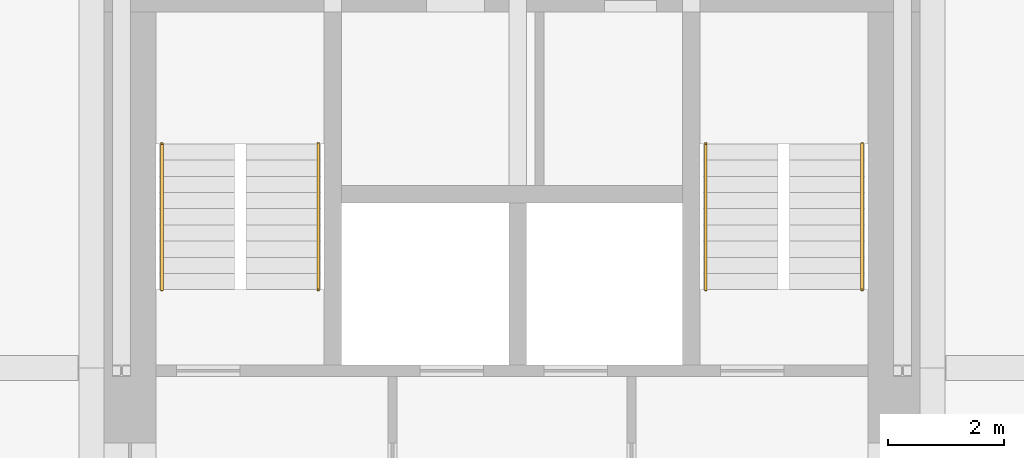
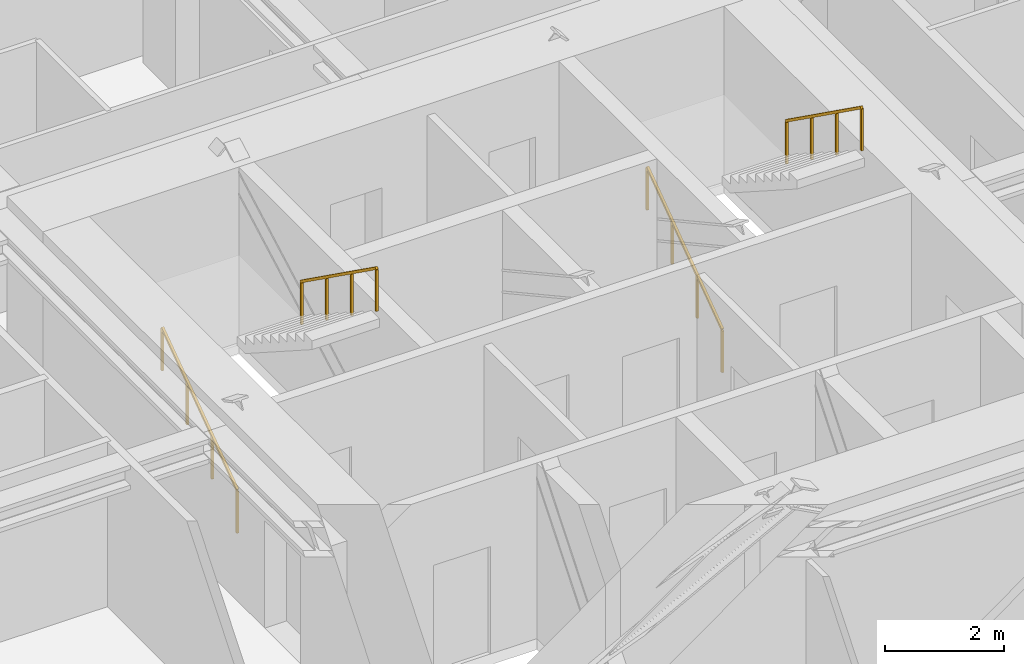
# One storey, part 7 of 7: 4 railings.
"""IFC4 building model written with IfcOpenShell, lengths in metres."""

import ifcopenshell
import ifcopenshell.guid

model = None  # the IFC model being written
_history = None  # IfcOwnerHistory: only IFC2X3 demands one
_inside = {}  # id of a spatial element -> (the spatial element, [elements in it])
_under = {}  # id of a project, library or spatial element -> (it, [spatial elements below it])
_declared = {}  # id of a project -> (the project, [libraries it declares])
_typed = {}  # id of a type object -> (the type object, [elements of that type])
_made_of = {}  # id of a material, layer set ... -> (it, [elements and type objects made of it])


def new_model(schema):
    """Start an empty IFC model of exactly this schema.

    Asked for "IFC4X3", IfcOpenShell would pick the latest addendum, in which some entities
    have other attributes; the version numbers below select the first issue.
    IFC2X3 requires an IfcOwnerHistory on every rooted entity: one is made here for all.
    """
    global model, _history
    if schema == "IFC4X3":
        model = ifcopenshell.file(schema_version=(4, 3, 0, 0))
    else:
        model = ifcopenshell.file(schema=schema)
    _inside.clear()
    _under.clear()
    _declared.clear()
    _typed.clear()
    _made_of.clear()
    _history = None
    if model.schema == "IFC2X3":
        org = make("IfcOrganization", Name="unknown")
        user = make(
            "IfcPersonAndOrganization",
            ThePerson=make("IfcPerson", FamilyName="unknown"),
            TheOrganization=org,
        )
        app = make(
            "IfcApplication",
            ApplicationDeveloper=org,
            Version="unknown",
            ApplicationFullName="unknown",
            ApplicationIdentifier="unknown",
        )
        _history = make(
            "IfcOwnerHistory",
            OwningUser=user,
            OwningApplication=app,
            ChangeAction="ADDED",
            CreationDate=0,
        )
    return model


def make(cls, **values):
    """One entity of the class cls with the attributes given. An attribute that is None is left unset."""
    return model.create_entity(
        cls, **{name: value for name, value in values.items() if value is not None}
    )


def rooted(cls, **values):
    """An entity with a GlobalId (a new one), such as an element, a storey or a relation."""
    return make(cls, GlobalId=ifcopenshell.guid.new(), OwnerHistory=_history, **values)


def si_unit(unit_type, name, prefix=None):
    """IfcSIUnit, for example si_unit("LENGTHUNIT", "METRE", prefix="MILLI")."""
    return make("IfcSIUnit", UnitType=unit_type, Prefix=prefix, Name=name)


def assignment(units):
    """IfcUnitAssignment: the units of a project."""
    return None if units is None else make("IfcUnitAssignment", Units=units)


def point(xyz):
    """IfcCartesianPoint."""
    return None if xyz is None else make("IfcCartesianPoint", Coordinates=xyz)


def direction(xyz):
    """IfcDirection."""
    return None if xyz is None else make("IfcDirection", DirectionRatios=xyz)


def frame(location, z_axis=None, x_axis=None):
    """IfcAxis2Placement3D, a coordinate frame: its origin and axes. An axis left out is left unset."""
    return make(
        "IfcAxis2Placement3D",
        Location=point(location),
        Axis=direction(z_axis),
        RefDirection=direction(x_axis),
    )


def frame_2d(location, x_axis=None):
    """IfcAxis2Placement2D, a coordinate frame in the plane: its origin and x axis."""
    return make(
        "IfcAxis2Placement2D", Location=point(location), RefDirection=direction(x_axis)
    )


def origin():
    """The frame at (0, 0, 0) with its axes left unset."""
    return frame((0.0, 0.0, 0.0))


def origin_2d():
    """The frame at (0, 0) in the plane with its x axis left unset."""
    return frame_2d((0.0, 0.0))


def place(relative_to, where):
    """IfcLocalPlacement: puts the frame where relative to a parent placement (None: the world)."""
    return make(
        "IfcLocalPlacement", PlacementRelTo=relative_to, RelativePlacement=where
    )


def context(
    kind, dimensions, precision=None, world=None, true_north=None, identifier=None
):
    """IfcGeometricRepresentationContext, for example the 3D "Model" context."""
    return make(
        "IfcGeometricRepresentationContext",
        ContextIdentifier=identifier,
        ContextType=kind,
        CoordinateSpaceDimension=dimensions,
        Precision=precision,
        WorldCoordinateSystem=world,
        TrueNorth=true_north,
    )


def subcontext(parent, identifier, kind, view, scale=None):
    """IfcGeometricRepresentationSubContext, for example "Body" below "Model"."""
    return make(
        "IfcGeometricRepresentationSubContext",
        ContextIdentifier=identifier,
        ContextType=kind,
        ParentContext=parent,
        TargetScale=scale,
        TargetView=view,
    )


def project(units=None, contexts=None):
    """IfcProject with its units and contexts."""
    return rooted(
        "IfcProject",
        Name="project",
        RepresentationContexts=contexts,
        UnitsInContext=assignment(units),
    )


def spatial(cls, under=None, at=None, **own):
    """A site, building, storey or space (cls), placed at a placement, below another one or the project."""
    s = rooted(cls, ObjectPlacement=at, **own)
    if under is not None:
        _under.setdefault(under.id(), (under, []))[1].append(s)
    return s


def profile(cls, at=None, kind="AREA", **sizes):
    """A parametric profile (cls). Its sizes go by their IFC names, for example OverallWidth=200.0."""
    return make(cls, ProfileType=kind, Position=at, **sizes)


def rectangle(**sizes):
    """IfcRectangleProfileDef."""
    return profile("IfcRectangleProfileDef", **sizes)


def extrude(swept, where, along, depth):
    """IfcExtrudedAreaSolid: the profile swept, set in the frame where, extruded along a direction by depth."""
    return make(
        "IfcExtrudedAreaSolid",
        SweptArea=swept,
        Position=where,
        ExtrudedDirection=direction(along),
        Depth=depth,
    )


def shape(context_of_items, identifier, shape_type, items):
    """IfcShapeRepresentation: the items that make up one representation, for example the "Body"."""
    return make(
        "IfcShapeRepresentation",
        ContextOfItems=context_of_items,
        RepresentationIdentifier=identifier,
        RepresentationType=shape_type,
        Items=items,
    )


def material(Name=None, Category=None):
    """IfcMaterial."""
    return make("IfcMaterial", Name=Name, Category=Category)


def made_of(thing, what):
    """Note that an element or type object is made of a material, layer set ...; save() writes the relation."""
    if what is not None:
        _made_of.setdefault(what.id(), (what, []))[1].append(thing)
    return thing


def type_object(cls, material=None, **own):
    """A type object (cls), such as IfcWallType, which elements share."""
    return made_of(rooted(cls, **own), material)


def element(
    cls,
    number,
    at=None,
    inside=None,
    cuts=None,
    type_object=None,
    material=None,
    context=None,
    identifier="Body",
    shape_type=None,
    held_by="IfcProductDefinitionShape",
    body=None,
    shapes=None,
    **own,
):
    """One element of the class cls, such as IfcWall. Its Tag is "e" and its number.

    at: its placement. inside: the storey or other place that contains it. cuts: it is an
    opening in that element (IfcRelVoidsElement). A single representation is given by context,
    identifier, shape_type and body (its items); several are given by shapes. held_by: the class
    of the entity that holds the representations. save() writes the other relations.
    """
    e = rooted(cls, Tag="e%d" % number, ObjectPlacement=at, **own)
    if body is not None:
        shapes = [shape(context, identifier, shape_type, body)]
    if shapes is not None:
        e.Representation = make(held_by, Representations=shapes)
    if inside is not None:
        _inside.setdefault(inside.id(), (inside, []))[1].append(e)
    if cuts is not None:
        rooted(
            "IfcRelVoidsElement", RelatingBuildingElement=cuts, RelatedOpeningElement=e
        )
    if type_object is not None:
        _typed.setdefault(type_object.id(), (type_object, []))[1].append(e)
    return made_of(e, material)


def aggregate(whole, parts):
    """IfcRelAggregates: a whole, such as a stair, and the parts it consists of."""
    return rooted("IfcRelAggregates", RelatingObject=whole, RelatedObjects=parts)


def save(model, path):
    """Write the relations noted so far, then the file.

    IfcRelAggregates (storeys below a building ...), IfcRelContainedInSpatialStructure (elements
    in a storey), IfcRelDefinesByType, IfcRelAssociatesMaterial and IfcRelDeclares: one each for
    every whole, place, type object, material and project.
    """
    for whole, parts in _under.values():
        aggregate(whole, parts)
    for where, things in _inside.values():
        rooted(
            "IfcRelContainedInSpatialStructure",
            RelatedElements=things,
            RelatingStructure=where,
        )
    for kind, things in _typed.values():
        rooted("IfcRelDefinesByType", RelatedObjects=things, RelatingType=kind)
    for what, things in _made_of.values():
        rooted("IfcRelAssociatesMaterial", RelatedObjects=things, RelatingMaterial=what)
    for by, libraries in _declared.values():
        rooted("IfcRelDeclares", RelatingContext=by, RelatedDefinitions=libraries)
    model.write(path)


model = new_model("IFC4")

# Units and contexts
model_context = context("Model", 3, precision=1e-05, world=origin(), true_north=direction((0.0, 1.0)))
body_context = subcontext(model_context, "Body", "Model", "MODEL_VIEW")
ifc_project = project(units=[si_unit("LENGTHUNIT", "METRE"), si_unit("AREAUNIT", "SQUARE_METRE"), si_unit("VOLUMEUNIT", "CUBIC_METRE"), si_unit("PLANEANGLEUNIT", "RADIAN"), si_unit("MASSUNIT", "GRAM", prefix="KILO")], contexts=[model_context])

# Site, building, storey
site_placement = place(None, origin())
site = spatial("IfcSite", under=ifc_project, at=site_placement, CompositionType="ELEMENT")
building_placement = place(site_placement, origin())
building = spatial("IfcBuilding", under=site, at=building_placement, Name="Nyansa Garden Tower", CompositionType="ELEMENT")
storey_placement = place(building_placement, frame((0.0, 0.0, 215.10009765625)))
storey = spatial("IfcBuildingStorey", under=building, at=storey_placement, Name="L58", CompositionType="ELEMENT", Elevation=215.10009765625)

# Railings
ifc_material = material(Name="Black powder-coated steel tube 48 mm", Category="steel")
railing_type = type_object("IfcRailingType", Name="Stair handrail HR1", PredefinedType="HANDRAIL", material=ifc_material)
railing_1_placement = place(storey_placement, frame((14.199951171875, 21.60009765625, 0.0)))
element("IfcRailing", 1, at=railing_1_placement, inside=storey, type_object=railing_type, Name="Stair S1 handrail L58", PredefinedType="HANDRAIL", context=body_context, shape_type="SweptSolid", body=[
    extrude(rectangle(XDim=0.048095703125, YDim=0.048095703125, at=origin_2d()), frame((0.0, 0.0, 0.8759765625), z_axis=(0.0, 0.813765431312, 0.581193446971), x_axis=(-1.0, 0.0, 0.0)), (0.0, 0.0, 1.0), 3.0966796875),
    extrude(rectangle(XDim=0.0419921875, YDim=0.0419921875, at=origin_2d()), origin(), (0.0, 0.0, 1.0), 0.851806640625),
    extrude(rectangle(XDim=0.0419921875, YDim=0.0419921875, at=origin_2d()), frame((0.0, 0.840087890625, 0.599853515625)), (0.0, 0.0, 1.0), 0.851806640625),
    extrude(rectangle(XDim=0.0419921875, YDim=0.0419921875, at=origin_2d()), frame((0.0, 1.679931640625, 1.199951171875)), (0.0, 0.0, 1.0), 0.851806640625),
    extrude(rectangle(XDim=0.0419921875, YDim=0.0419921875, at=origin_2d()), frame((0.0, 2.52001953125, 1.7998046875)), (0.0, 0.0, 1.0), 0.851806640625),
])
railing_2_placement = place(storey_placement, frame((16.89990234375, 24.1201171875, 1.7998046875)))
element("IfcRailing", 2, at=railing_2_placement, inside=storey, type_object=railing_type, Name="Stair S1 handrail L58", PredefinedType="HANDRAIL", context=body_context, shape_type="SweptSolid", body=[
    extrude(rectangle(XDim=0.048095703125, YDim=0.048095703125, at=origin_2d()), frame((0.0, 0.0, 0.8759765625), z_axis=(0.0, -0.813728144527, 0.581245650998), x_axis=(1.0, 0.0, 0.0)), (0.0, 0.0, 1.0), 3.096923828125),
    extrude(rectangle(XDim=0.0419921875, YDim=0.0419921875, at=origin_2d()), origin(), (0.0, 0.0, 1.0), 0.851806640625),
    extrude(rectangle(XDim=0.0419921875, YDim=0.0419921875, at=origin_2d()), frame((0.0, -0.840087890625, 0.60009765625)), (0.0, 0.0, 1.0), 0.851806640625),
    extrude(rectangle(XDim=0.0419921875, YDim=0.0419921875, at=origin_2d()), frame((0.0, -1.679931640625, 1.199951171875)), (0.0, 0.0, 1.0), 0.851806640625),
    extrude(rectangle(XDim=0.0419921875, YDim=0.0419921875, at=origin_2d()), frame((0.0, -2.52001953125, 1.800048828125)), (0.0, 0.0, 1.0), 0.851806640625),
])
railing_3_placement = place(storey_placement, frame((23.60009765625, 21.60009765625, 0.0)))
element("IfcRailing", 3, at=railing_3_placement, inside=storey, type_object=railing_type, Name="Stair S2 handrail L58", PredefinedType="HANDRAIL", context=body_context, shape_type="SweptSolid", body=[
    extrude(rectangle(XDim=0.048095703125, YDim=0.048095703125, at=origin_2d()), frame((0.0, 0.0, 0.8759765625), z_axis=(0.0, 0.813765431312, 0.581193446971), x_axis=(-1.0, 0.0, 0.0)), (0.0, 0.0, 1.0), 3.0966796875),
    extrude(rectangle(XDim=0.0419921875, YDim=0.0419921875, at=origin_2d()), origin(), (0.0, 0.0, 1.0), 0.851806640625),
    extrude(rectangle(XDim=0.0419921875, YDim=0.0419921875, at=origin_2d()), frame((0.0, 0.840087890625, 0.599853515625)), (0.0, 0.0, 1.0), 0.851806640625),
    extrude(rectangle(XDim=0.0419921875, YDim=0.0419921875, at=origin_2d()), frame((0.0, 1.679931640625, 1.199951171875)), (0.0, 0.0, 1.0), 0.851806640625),
    extrude(rectangle(XDim=0.0419921875, YDim=0.0419921875, at=origin_2d()), frame((0.0, 2.52001953125, 1.7998046875)), (0.0, 0.0, 1.0), 0.851806640625),
])
railing_4_placement = place(storey_placement, frame((26.300048828125, 24.1201171875, 1.7998046875)))
element("IfcRailing", 4, at=railing_4_placement, inside=storey, type_object=railing_type, Name="Stair S2 handrail L58", PredefinedType="HANDRAIL", context=body_context, shape_type="SweptSolid", body=[
    extrude(rectangle(XDim=0.048095703125, YDim=0.048095703125, at=origin_2d()), frame((0.0, 0.0, 0.8759765625), z_axis=(0.0, -0.813728144527, 0.581245650998), x_axis=(1.0, 0.0, 0.0)), (0.0, 0.0, 1.0), 3.096923828125),
    extrude(rectangle(XDim=0.0419921875, YDim=0.0419921875, at=origin_2d()), origin(), (0.0, 0.0, 1.0), 0.851806640625),
    extrude(rectangle(XDim=0.0419921875, YDim=0.0419921875, at=origin_2d()), frame((0.0, -0.840087890625, 0.60009765625)), (0.0, 0.0, 1.0), 0.851806640625),
    extrude(rectangle(XDim=0.0419921875, YDim=0.0419921875, at=origin_2d()), frame((0.0, -1.679931640625, 1.199951171875)), (0.0, 0.0, 1.0), 0.851806640625),
    extrude(rectangle(XDim=0.0419921875, YDim=0.0419921875, at=origin_2d()), frame((0.0, -2.52001953125, 1.800048828125)), (0.0, 0.0, 1.0), 0.851806640625),
])

save(model, "model.ifc")
